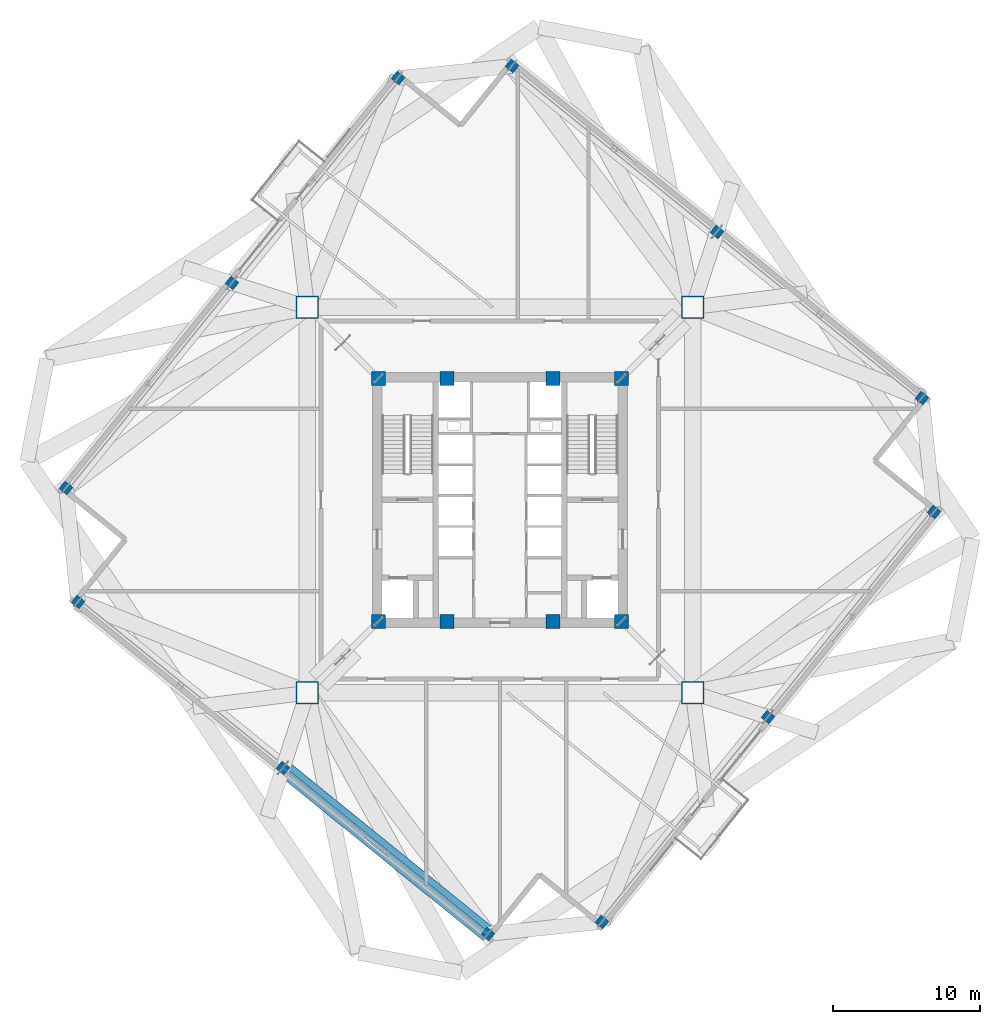
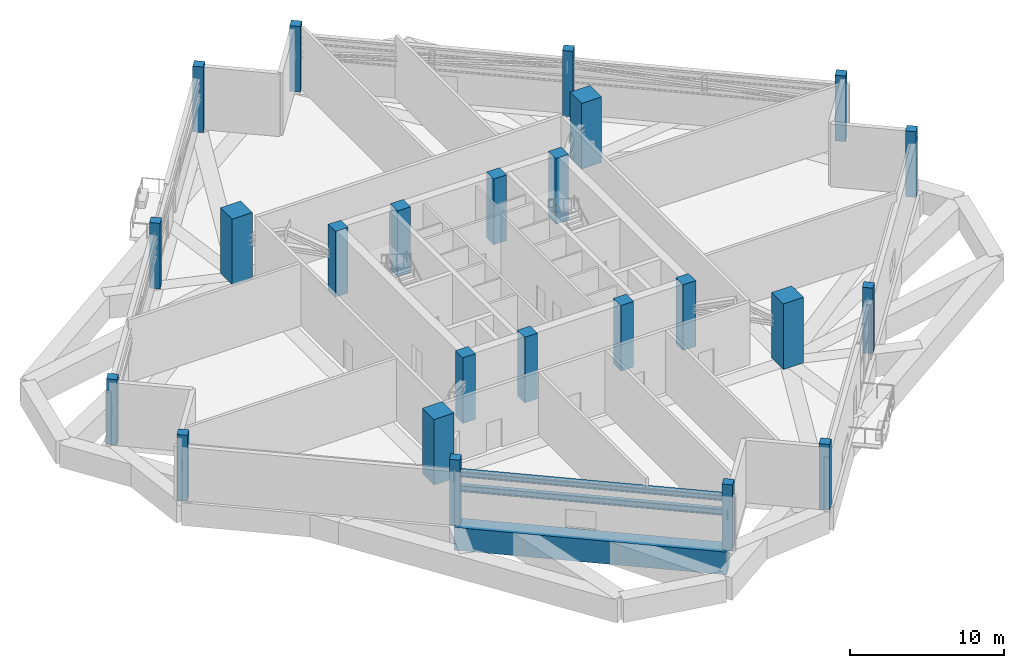
# One storey, part 1 of 22: 24 columns, 2 members, 1 beam.
"""IFC4 building model written with IfcOpenShell, lengths in metres."""

from ifc_helpers import new_model, si_unit, direction, frame, origin, origin_2d, place, context, subcontext, project, spatial, rectangle, i_section, extrude, source, transform, mapped, material, material_profile, profile_set, type_object, element, save


model = new_model("IFC4")

# Units and contexts
model_context = context("Model", 3, precision=1e-05, world=origin(), true_north=direction((0.0, 1.0)))
body_context = subcontext(model_context, "Body", "Model", "MODEL_VIEW")
ifc_project = project(units=[si_unit("LENGTHUNIT", "METRE"), si_unit("AREAUNIT", "SQUARE_METRE"), si_unit("VOLUMEUNIT", "CUBIC_METRE"), si_unit("PLANEANGLEUNIT", "RADIAN"), si_unit("MASSUNIT", "GRAM", prefix="KILO"), si_unit("THERMODYNAMICTEMPERATUREUNIT", "KELVIN")], contexts=[model_context])

# Site, building, storey
site_placement = place(None, origin())
site = spatial("IfcSite", under=ifc_project, at=site_placement, CompositionType="ELEMENT")
building_placement = place(site_placement, origin())
building = spatial("IfcBuilding", under=site, at=building_placement, Name="Kosmvard Interchange Tower", CompositionType="ELEMENT")
storey_placement = place(building_placement, frame((0.0, 0.0, 200.39990234375)))
storey = spatial("IfcBuildingStorey", under=building, at=storey_placement, Name="L48", CompositionType="ELEMENT", Elevation=200.39990234375)

# Columns
ifc_material_1 = material(Name="Concrete C60/75", Category="concrete")
ifc_material_profile_1 = material_profile(ifc_material_1, rectangle(XDim=0.949951171875, YDim=0.949951171875, at=origin_2d()), Name="CP 950x950")
ifc_profile_set_1 = profile_set([ifc_material_profile_1], Name="Concrete C60/75")
column_type_1 = type_object("IfcColumnType", Name="Core Boundary Pilaster 950x950 C60/75", PredefinedType="PILASTER", material=ifc_profile_set_1)
shared_shape_1 = source(origin(), body_context, "Body", "SweptSolid", [
    extrude(rectangle(XDim=0.949951171875, YDim=0.949951171875, at=origin_2d()), origin(), (0.0, 0.0, 1.0), 5.2001953125),
])
for number, where, z_axis, x_axis, name in (
    (1, (-8.25, -8.25, 0.0), (0.0, 0.0, 1.0), (1.0, 0.0, 0.0), "L48 Core Pilaster CP1"),
    (2, (8.25, -8.25, 0.0), (0.0, 0.0, 1.0), (1.0, 0.0, 0.0), "L48 Core Pilaster CP2"),
    (3, (8.25, 8.25, 0.0), (0.0, 0.0, 1.0), (1.0, 0.0, 0.0), "L48 Core Pilaster CP3"),
    (4, (-8.25, 8.25, 0.0), (0.0, 0.0, 1.0), (1.0, 0.0, 0.0), "L48 Core Pilaster CP4"),
    (5, (-3.60009765625, -8.25, 0.0), (0.0, 0.0, 1.0), (1.0, 0.0, 0.0), "L48 Core Pilaster CP5"),
    (6, (3.60009765625, -8.25, 0.0), (0.0, 0.0, 1.0), (1.0, 0.0, 0.0), "L48 Core Pilaster CP6"),
    (7, (-3.60009765625, 8.25, 0.0), (0.0, 0.0, 1.0), (1.0, 0.0, 0.0), "L48 Core Pilaster CP7"),
    (8, (3.60009765625, 8.25, 0.0), (0.0, 0.0, 1.0), (1.0, 0.0, 0.0), "L48 Core Pilaster CP8"),
):
    element("IfcColumn", number, at=place(storey_placement, frame(where, z_axis=z_axis, x_axis=x_axis)), inside=storey, type_object=column_type_1, Name=name, PredefinedType="PILASTER", context=body_context, shape_type="MappedRepresentation", body=[
        mapped(shared_shape_1, transform((0.0, 0.0, 0.0), scale=1.0)),
    ])
ifc_material_profile_2 = material_profile(ifc_material_1, rectangle(XDim=1.5, YDim=1.5, at=origin_2d()), Name="MC 1500x1500")
ifc_profile_set_2 = profile_set([ifc_material_profile_2], Name="Concrete C60/75")
column_type_2 = type_object("IfcColumnType", Name="Composite Mega-Column 1500x1500 C60/75", PredefinedType="COLUMN", material=ifc_profile_set_2)
shared_shape_2 = source(origin(), body_context, "Body", "SweptSolid", [
    extrude(rectangle(XDim=1.5, YDim=1.5, at=origin_2d()), origin(), (0.0, 0.0, 1.0), 5.2001953125),
])
for number, where, z_axis, x_axis, name in (
    (9, (-13.0810546875, -13.0810546875, 0.0), (0.0, 0.0, 1.0), (1.0, 0.0, 0.0), "L48 Corner Mega-Column MC1"),
    (10, (13.0810546875, -13.0810546875, 0.0), (0.0, 0.0, 1.0), (1.0, 0.0, 0.0), "L48 Corner Mega-Column MC2"),
    (11, (13.0810546875, 13.0810546875, 0.0), (0.0, 0.0, 1.0), (1.0, 0.0, 0.0), "L48 Corner Mega-Column MC3"),
    (12, (-13.0810546875, 13.0810546875, 0.0), (0.0, 0.0, 1.0), (1.0, 0.0, 0.0), "L48 Corner Mega-Column MC4"),
):
    element("IfcColumn", number, at=place(storey_placement, frame(where, z_axis=z_axis, x_axis=x_axis)), inside=storey, type_object=column_type_2, Name=name, PredefinedType="COLUMN", context=body_context, shape_type="MappedRepresentation", body=[
        mapped(shared_shape_2, transform((0.0, 0.0, 0.0), scale=1.0)),
    ])
ifc_material_2 = material(Name="Concrete C50/60", Category="concrete")
ifc_material_profile_3 = material_profile(ifc_material_2, rectangle(XDim=0.64990234375, YDim=0.699951171875, at=origin_2d()), Name="TC 700x650")
ifc_profile_set_3 = profile_set([ifc_material_profile_3], Name="Concrete C50/60")
column_type_3 = type_object("IfcColumnType", Name="Zone 4 Perimeter Pier Column 700x650 C50/60", PredefinedType="COLUMN", material=ifc_profile_set_3)
shared_shape_3 = source(origin(), body_context, "Body", "SweptSolid", [
    extrude(rectangle(XDim=0.64990234375, YDim=0.699951171875, at=origin_2d()), origin(), (0.0, 0.0, 1.0), 5.2001953125),
])
for number, where, z_axis, x_axis, name in (
    (13, (6.92041015625, -28.636962890625, 0.0), (0.0, 0.0, 1.0), (0.62932039105, 0.777145961457, 0.0), "L48 Perimeter Pier Column TC-S1"),
    (14, (18.185302734375, -14.72607421875, 0.0), (0.0, 0.0, 1.0), (0.62932039105, 0.777145961457, 0.0), "L48 Perimeter Pier Column TC-S2"),
    (15, (29.449951171875, -0.815185546875, 0.0), (0.0, 0.0, 1.0), (0.62932039105, 0.777145961457, 0.0), "L48 Perimeter Pier Column TC-S3"),
    (16, (28.636962890625, 6.92041015625, 0.0), (0.0, 0.0, 1.0), (0.62932039105, 0.777145961457, 0.0), "L48 Perimeter Pier Column TC-E1"),
    (17, (14.72607421875, 18.185302734375, 0.0), (0.0, 0.0, 1.0), (0.62932039105, 0.777145961457, 0.0), "L48 Perimeter Pier Column TC-E2"),
    (18, (0.815185546875, 29.449951171875, 0.0), (0.0, 0.0, 1.0), (0.62932039105, 0.777145961457, 0.0), "L48 Perimeter Pier Column TC-E3"),
    (19, (-6.92041015625, 28.636962890625, 0.0), (0.0, 0.0, 1.0), (0.62932039105, 0.777145961457, 0.0), "L48 Perimeter Pier Column TC-N1"),
    (20, (-18.185302734375, 14.72607421875, 0.0), (0.0, 0.0, 1.0), (0.62932039105, 0.777145961457, 0.0), "L48 Perimeter Pier Column TC-N2"),
    (21, (-29.449951171875, 0.815185546875, 0.0), (0.0, 0.0, 1.0), (0.62932039105, 0.777145961457, 0.0), "L48 Perimeter Pier Column TC-N3"),
    (22, (-28.636962890625, -6.92041015625, 0.0), (0.0, 0.0, 1.0), (0.62932039105, 0.777145961457, 0.0), "L48 Perimeter Pier Column TC-W1"),
    (23, (-14.72607421875, -18.185302734375, 0.0), (0.0, 0.0, 1.0), (0.62932039105, 0.777145961457, 0.0), "L48 Perimeter Pier Column TC-W2"),
    (24, (-0.815185546875, -29.449951171875, 0.0), (0.0, 0.0, 1.0), (0.62932039105, 0.777145961457, 0.0), "L48 Perimeter Pier Column TC-W3"),
):
    element("IfcColumn", number, at=place(storey_placement, frame(where, z_axis=z_axis, x_axis=x_axis)), inside=storey, type_object=column_type_3, Name=name, PredefinedType="COLUMN", context=body_context, shape_type="MappedRepresentation", body=[
        mapped(shared_shape_3, transform((0.0, 0.0, 0.0), scale=1.0)),
    ])

# Beam
ifc_material_profile_4 = material_profile(ifc_material_1, rectangle(XDim=1.1201171875, YDim=1.800048828125, at=origin_2d()), Name="TG 1120x1800")
ifc_profile_set_4 = profile_set([ifc_material_profile_4], Name="Concrete C60/75")
beam_type = type_object("IfcBeamType", Name="Zone Long-Span Transfer Girder 1120x1800 C60/75", PredefinedType="USERDEFINED", material=ifc_profile_set_4)
shared_shape_4 = source(origin(), body_context, "Body", "SweptSolid", [
    extrude(rectangle(XDim=1.1201171875, YDim=1.800048828125, at=origin_2d()), origin(), (0.0, 0.0, 1.0), 17.89990234375),
])
beam_placement = place(storey_placement, frame((-14.72607421875, -18.185302734375, -0.89990234375), z_axis=(0.777150526976, -0.629314753061, 0.0), x_axis=(0.629314753061, 0.777150526976, 0.0)))
element("IfcBeam", 25, at=beam_placement, inside=storey, type_object=beam_type, Name="BM-L48-PR11", ObjectType="TRANSFER_GIRDER", PredefinedType="USERDEFINED", context=body_context, shape_type="MappedRepresentation", body=[
    mapped(shared_shape_4, transform((0.0, 0.0, 0.0), scale=1.0)),
])

# Members
ifc_material_3 = material(Name="Steel S460", Category="steel")
ifc_material_profile_5 = material_profile(ifc_material_3, i_section(OverallWidth=0.300048828125, OverallDepth=0.5, WebThickness=0.014404296875, FlangeThickness=0.028076171875, FilletRadius=0.027099609375, at=origin_2d()), Name="HEB 500")
ifc_profile_set_5 = profile_set([ifc_material_profile_5], Name="Steel S460")
member_type = type_object("IfcMemberType", Name="Belt Truss Chord HEB 500 S460", PredefinedType="CHORD", material=ifc_profile_set_5)
shared_shape_5 = source(origin(), body_context, "Body", "SweptSolid", [
    extrude(i_section(OverallWidth=0.300048828125, OverallDepth=0.5, WebThickness=0.014404296875, FlangeThickness=0.028076171875, FilletRadius=0.027099609375, at=origin_2d()), origin(), (0.0, 0.0, 1.0), 17.89990234375),
])
for number, where, z_axis, x_axis, name in (
    (26, (-14.72607421875, -18.185302734375, 2.820068359375), (0.777150526976, -0.629314753061, 0.0), (0.629314753061, 0.777150526976, 0.0), "L48 Belt Truss Bottom Chord W2"),
    (27, (-14.72607421875, -18.185302734375, 3.97998046875), (0.777150526976, -0.629314753061, 0.0), (0.629314753061, 0.777150526976, 0.0), "L48 Belt Truss Top Chord W2"),
):
    element("IfcMember", number, at=place(storey_placement, frame(where, z_axis=z_axis, x_axis=x_axis)), inside=storey, type_object=member_type, Name=name, PredefinedType="CHORD", context=body_context, shape_type="MappedRepresentation", body=[
        mapped(shared_shape_5, transform((0.0, 0.0, 0.0), scale=1.0)),
    ])

save(model, "model.ifc")
